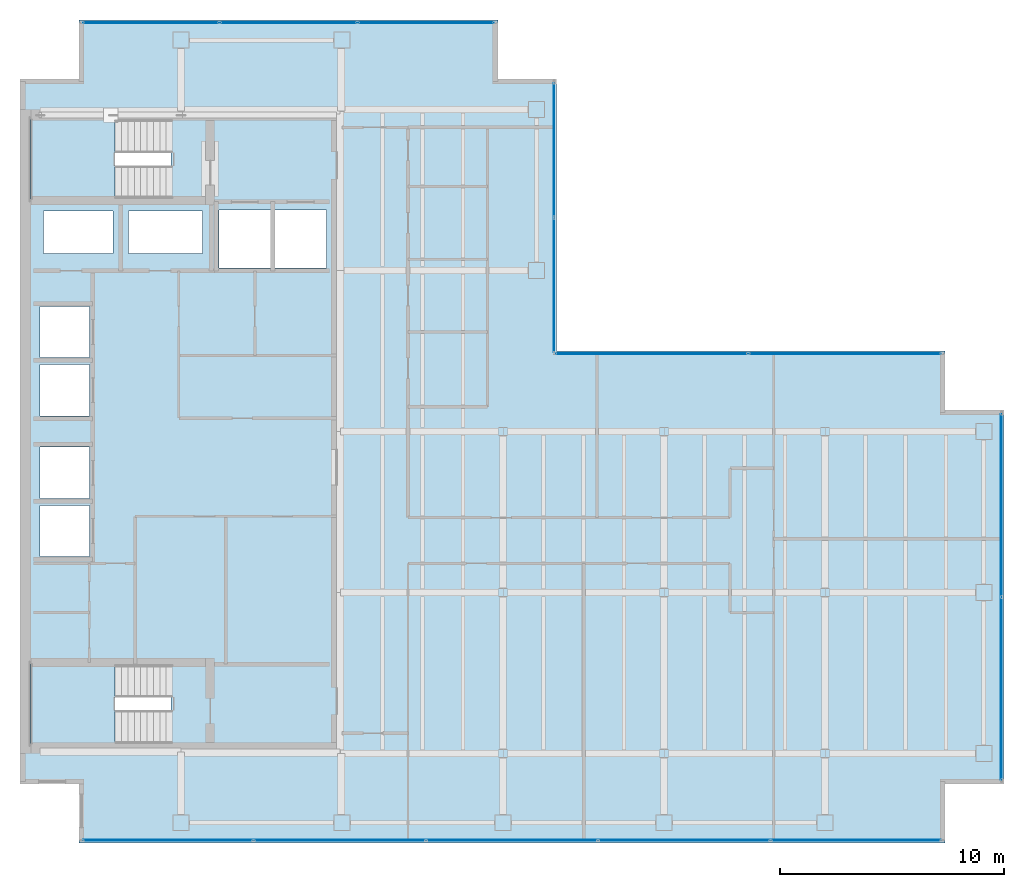
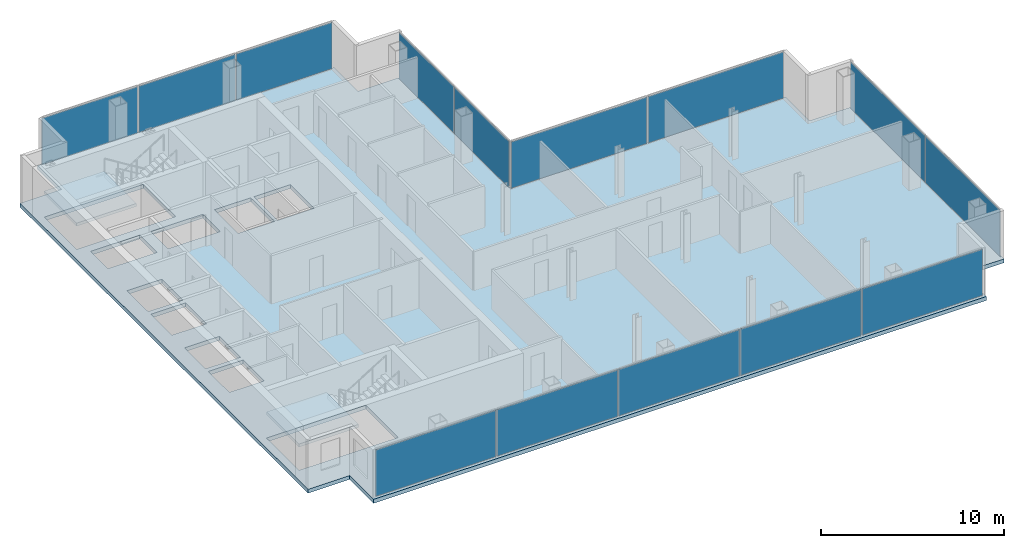
# One storey, part 19 of 23: 14 plates, 3 slabs, 10 openings, 7 elements without a shape of their own.
"""IFC4 building model written with IfcOpenShell, lengths in metres."""

from ifc_helpers import new_model, si_unit, direction, frame, origin, origin_2d, place, context, subcontext, project, spatial, polyline, rectangle, outline, extrude, material, layer, layer_set, type_object, element, aggregate, save


model = new_model("IFC4")

# Units and contexts
model_context = context("Model", 3, precision=1e-05, world=origin(), true_north=direction((0.0, 1.0)))
body_context = subcontext(model_context, "Body", "Model", "MODEL_VIEW")
ifc_project = project(units=[si_unit("LENGTHUNIT", "METRE"), si_unit("AREAUNIT", "SQUARE_METRE"), si_unit("VOLUMEUNIT", "CUBIC_METRE"), si_unit("PLANEANGLEUNIT", "RADIAN"), si_unit("MASSUNIT", "GRAM", prefix="KILO")], contexts=[model_context])

# Site, building, storey
site_placement = place(None, origin())
site = spatial("IfcSite", under=ifc_project, at=site_placement, CompositionType="ELEMENT")
building_placement = place(site_placement, origin())
building = spatial("IfcBuilding", under=site, at=building_placement, Name="Cobrela Telecom Tower", CompositionType="ELEMENT")
storey_placement = place(building_placement, frame((0.0, 0.0, 211.75)))
storey = spatial("IfcBuildingStorey", under=building, at=storey_placement, Name="L54", CompositionType="ELEMENT", Elevation=211.75)

# Curtain wall, plates
ifc_material_1 = material(Name="Anodized Bronze Aluminium 6063-T6", Category="aluminium")
curtain_wall_type = type_object("IfcCurtainWallType", Name="CW-SYS-OFF-LO", PredefinedType="USERDEFINED", material=ifc_material_1)
curtain_wall_1_placement = place(storey_placement, origin())
curtain_wall_1 = element("IfcCurtainWall", 1, at=curtain_wall_1_placement, inside=storey, type_object=curtain_wall_type, Name="L54 Unitised Bronze Curtain Wall 07", ObjectType="UNITISED CURTAIN WALL", PredefinedType="USERDEFINED")
ifc_material_2 = material(Name="Solar-Control Bronze Low-E Glass", Category="glass")
ifc_layer_1 = layer(ifc_material_2, 0.031982421875)
ifc_layer_set_1 = layer_set([ifc_layer_1], Name="Solar-Control Bronze Low-E Glass")
plate_type = type_object("IfcPlateType", Name="CW-SYS-OFF-LO-PNL", PredefinedType="CURTAIN_PANEL", material=ifc_layer_set_1)
plate_1_placement = place(storey_placement, frame((5.850830078125, 39.8798828125, 0.070068359375), z_axis=(0.0, 0.0, 1.0), x_axis=(1.0, 0.0, 0.0)))
plate_1 = element("IfcPlate", 2, at=plate_1_placement, type_object=plate_type, Name="CW-OFF-LO panel 1.1", PredefinedType="CURTAIN_PANEL", context=body_context, shape_type="SweptSolid", body=[
    extrude(rectangle(XDim=6.061767578125, YDim=0.031982421875, at=origin_2d()), origin(), (0.0, 0.0, 1.0), 3.10009765625),
])
plate_2_placement = place(storey_placement, frame((12.0, 39.8798828125, 0.070068359375), z_axis=(0.0, 0.0, 1.0), x_axis=(1.0, 0.0, 0.0)))
plate_2 = element("IfcPlate", 3, at=plate_2_placement, type_object=plate_type, Name="CW-OFF-LO panel 2.1", PredefinedType="CURTAIN_PANEL", context=body_context, shape_type="SweptSolid", body=[
    extrude(rectangle(XDim=6.0966796875, YDim=0.031982421875, at=origin_2d()), origin(), (0.0, 0.0, 1.0), 3.10009765625),
])
plate_3_placement = place(storey_placement, frame((18.149169921875, 39.8798828125, 0.070068359375), z_axis=(0.0, 0.0, 1.0), x_axis=(1.0, 0.0, 0.0)))
plate_3 = element("IfcPlate", 4, at=plate_3_placement, type_object=plate_type, Name="CW-OFF-LO panel 3.1", PredefinedType="CURTAIN_PANEL", context=body_context, shape_type="SweptSolid", body=[
    extrude(rectangle(XDim=6.061767578125, YDim=0.031982421875, at=origin_2d()), origin(), (0.0, 0.0, 1.0), 3.10009765625),
])
aggregate(curtain_wall_1, [plate_1, plate_2, plate_3])

curtain_wall_2_placement = place(storey_placement, origin())
curtain_wall_2 = element("IfcCurtainWall", 5, at=curtain_wall_2_placement, inside=storey, type_object=curtain_wall_type, Name="L54 Unitised Bronze Curtain Wall 10", ObjectType="UNITISED CURTAIN WALL", PredefinedType="USERDEFINED")
plate_4_placement = place(storey_placement, frame((23.8798828125, 34.18994140625, 0.070068359375), z_axis=(0.0, 0.0, 1.0), x_axis=(0.0, -1.0, 0.0)))
plate_4 = element("IfcPlate", 6, at=plate_4_placement, type_object=plate_type, Name="CW-OFF-LO panel 1.1", PredefinedType="CURTAIN_PANEL", context=body_context, shape_type="SweptSolid", body=[
    extrude(rectangle(XDim=5.97998046875, YDim=0.031982421875, at=origin_2d()), origin(), (0.0, 0.0, 1.0), 3.10009765625),
])
plate_5_placement = place(storey_placement, frame((23.8798828125, 28.139892578125, 0.070068359375), z_axis=(0.0, 0.0, 1.0), x_axis=(0.0, -1.0, 0.0)))
plate_5 = element("IfcPlate", 7, at=plate_5_placement, type_object=plate_type, Name="CW-OFF-LO panel 2.1", PredefinedType="CURTAIN_PANEL", context=body_context, shape_type="SweptSolid", body=[
    extrude(rectangle(XDim=5.97998046875, YDim=0.031982421875, at=origin_2d()), origin(), (0.0, 0.0, 1.0), 3.10009765625),
])
aggregate(curtain_wall_2, [plate_4, plate_5])

curtain_wall_3_placement = place(storey_placement, origin())
curtain_wall_3 = element("IfcCurtainWall", 8, at=curtain_wall_3_placement, inside=storey, type_object=curtain_wall_type, Name="L54 Unitised Bronze Curtain Wall 11", ObjectType="UNITISED CURTAIN WALL", PredefinedType="USERDEFINED")
plate_6_placement = place(storey_placement, frame((28.239990234375, 25.080078125, 0.070068359375), z_axis=(0.0, 0.0, 1.0), x_axis=(1.0, 0.0, 0.0)))
plate_6 = element("IfcPlate", 9, at=plate_6_placement, type_object=plate_type, Name="CW-OFF-LO panel 1.1", PredefinedType="CURTAIN_PANEL", context=body_context, shape_type="SweptSolid", body=[
    extrude(rectangle(XDim=8.580078125, YDim=0.031982421875, at=origin_2d()), origin(), (0.0, 0.0, 1.0), 3.10009765625),
])
plate_7_placement = place(storey_placement, frame((36.889892578125, 25.080078125, 0.070068359375), z_axis=(0.0, 0.0, 1.0), x_axis=(1.0, 0.0, 0.0)))
plate_7 = element("IfcPlate", 10, at=plate_7_placement, type_object=plate_type, Name="CW-OFF-LO panel 2.1", PredefinedType="CURTAIN_PANEL", context=body_context, shape_type="SweptSolid", body=[
    extrude(rectangle(XDim=8.580078125, YDim=0.031982421875, at=origin_2d()), origin(), (0.0, 0.0, 1.0), 3.10009765625),
])
aggregate(curtain_wall_3, [plate_6, plate_7])

curtain_wall_4_placement = place(storey_placement, origin())
curtain_wall_4 = element("IfcCurtainWall", 11, at=curtain_wall_4_placement, inside=storey, type_object=curtain_wall_type, Name="L54 Unitised Bronze Curtain Wall 14", ObjectType="UNITISED CURTAIN WALL", PredefinedType="USERDEFINED")
plate_8_placement = place(storey_placement, frame((43.8798828125, 18.3076171875, 0.070068359375), z_axis=(0.0, 0.0, 1.0), x_axis=(0.0, -1.0, 0.0)))
plate_8 = element("IfcPlate", 12, at=plate_8_placement, type_object=plate_type, Name="CW-OFF-LO panel 1.1", PredefinedType="CURTAIN_PANEL", context=body_context, shape_type="SweptSolid", body=[
    extrude(rectangle(XDim=8.14501953125, YDim=0.031982421875, at=origin_2d()), origin(), (0.0, 0.0, 1.0), 3.10009765625),
])
plate_9_placement = place(storey_placement, frame((43.8798828125, 10.092529296875, 0.070068359375), z_axis=(0.0, 0.0, 1.0), x_axis=(0.0, -1.0, 0.0)))
plate_9 = element("IfcPlate", 13, at=plate_9_placement, type_object=plate_type, Name="CW-OFF-LO panel 2.1", PredefinedType="CURTAIN_PANEL", context=body_context, shape_type="SweptSolid", body=[
    extrude(rectangle(XDim=8.14501953125, YDim=0.031982421875, at=origin_2d()), origin(), (0.0, 0.0, 1.0), 3.10009765625),
])
aggregate(curtain_wall_4, [plate_8, plate_9])

curtain_wall_5_placement = place(storey_placement, origin())
curtain_wall_5 = element("IfcCurtainWall", 14, at=curtain_wall_5_placement, inside=storey, type_object=curtain_wall_type, Name="L54 Unitised Bronze Curtain Wall 17", ObjectType="UNITISED CURTAIN WALL", PredefinedType="USERDEFINED")
plate_10_placement = place(storey_placement, frame((37.382568359375, 3.320068359375, 0.070068359375), z_axis=(0.0, 0.0, 1.0), x_axis=(-1.0, 0.0, 0.0)))
plate_10 = element("IfcPlate", 15, at=plate_10_placement, type_object=plate_type, Name="CW-OFF-LO panel 1.1", PredefinedType="CURTAIN_PANEL", context=body_context, shape_type="SweptSolid", body=[
    extrude(rectangle(XDim=7.594970703125, YDim=0.031982421875, at=origin_2d()), origin(), (0.0, 0.0, 1.0), 3.10009765625),
])
plate_11_placement = place(storey_placement, frame((29.699951171875, 3.320068359375, 0.070068359375), z_axis=(0.0, 0.0, 1.0), x_axis=(-1.0, 0.0, 0.0)))
plate_11 = element("IfcPlate", 16, at=plate_11_placement, type_object=plate_type, Name="CW-OFF-LO panel 2.1", PredefinedType="CURTAIN_PANEL", context=body_context, shape_type="SweptSolid", body=[
    extrude(rectangle(XDim=7.6298828125, YDim=0.031982421875, at=origin_2d()), origin(), (0.0, 0.0, 1.0), 3.10009765625),
])
plate_12_placement = place(storey_placement, frame((22.0, 3.320068359375, 0.070068359375), z_axis=(0.0, 0.0, 1.0), x_axis=(-1.0, 0.0, 0.0)))
plate_12 = element("IfcPlate", 17, at=plate_12_placement, type_object=plate_type, Name="CW-OFF-LO panel 3.1", PredefinedType="CURTAIN_PANEL", context=body_context, shape_type="SweptSolid", body=[
    extrude(rectangle(XDim=7.6298828125, YDim=0.031982421875, at=origin_2d()), origin(), (0.0, 0.0, 1.0), 3.10009765625),
])
plate_13_placement = place(storey_placement, frame((14.300048828125, 3.320068359375, 0.070068359375), z_axis=(0.0, 0.0, 1.0), x_axis=(-1.0, 0.0, 0.0)))
plate_13 = element("IfcPlate", 18, at=plate_13_placement, type_object=plate_type, Name="CW-OFF-LO panel 4.1", PredefinedType="CURTAIN_PANEL", context=body_context, shape_type="SweptSolid", body=[
    extrude(rectangle(XDim=7.6298828125, YDim=0.031982421875, at=origin_2d()), origin(), (0.0, 0.0, 1.0), 3.10009765625),
])
plate_14_placement = place(storey_placement, frame((6.617431640625, 3.320068359375, 0.070068359375), z_axis=(0.0, 0.0, 1.0), x_axis=(-1.0, 0.0, 0.0)))
plate_14 = element("IfcPlate", 19, at=plate_14_placement, type_object=plate_type, Name="CW-OFF-LO panel 5.1", PredefinedType="CURTAIN_PANEL", context=body_context, shape_type="SweptSolid", body=[
    extrude(rectangle(XDim=7.594970703125, YDim=0.031982421875, at=origin_2d()), origin(), (0.0, 0.0, 1.0), 3.10009765625),
])
aggregate(curtain_wall_5, [plate_10, plate_11, plate_12, plate_13, plate_14])

# Slab, openings
ifc_material_3 = material(Name="Concrete C40/50", Category="concrete")
ifc_layer_2 = layer(ifc_material_3, 0.260009765625)
ifc_layer_set_2 = layer_set([ifc_layer_2], Name="Concrete C40/50")
slab_type_1 = type_object("IfcSlabType", Name="SLAB-FLR-260", PredefinedType="FLOOR", material=ifc_layer_set_2)
slab_1_placement = place(storey_placement, frame((0.0, 0.0, -0.260009765625)))
slab_1 = element("IfcSlab", 20, at=slab_1_placement, inside=storey, type_object=slab_type_1, Name="L54 Structural Floor Slab", PredefinedType="FLOOR", context=body_context, shape_type="SweptSolid", body=[
    extrude(outline(polyline([(2.6298828125, 3.199951171875), (41.3701171875, 3.199951171875), (41.3701171875, 5.830078125), (44.0, 5.830078125), (44.0, 22.570068359375), (41.3701171875, 22.570068359375), (41.3701171875, 25.199951171875), (24.0, 25.199951171875), (24.0, 37.3701171875), (21.3701171875, 37.3701171875), (21.3701171875, 40.0), (2.6298828125, 40.0), (2.6298828125, 37.3701171875), (0.0, 37.3701171875), (0.0, 5.830078125), (2.6298828125, 5.830078125), (2.6298828125, 3.199951171875)])), origin(), (0.0, 0.0, 1.0), 0.260009765625),
])
opening_1_placement = place(slab_1_placement, frame((0.0, 0.0, -0.02001953125)))
element("IfcOpeningElement", 21, at=opening_1_placement, cuts=slab_1, Name="Slab Shaft Opening SLAB-L54-MAIN.1", PredefinedType="OPENING", context=body_context, shape_type="SweptSolid", body=[
    extrude(outline(polyline([(8.89990234375, 28.89990234375), (11.199951171875, 28.89990234375), (11.199951171875, 31.5), (8.89990234375, 31.5), (8.89990234375, 28.89990234375)])), origin(), (0.0, 0.0, 1.0), 0.300048828125),
])
opening_2_placement = place(slab_1_placement, frame((0.0, 0.0, -0.02001953125)))
element("IfcOpeningElement", 22, at=opening_2_placement, cuts=slab_1, Name="Slab Shaft Opening SLAB-L54-MAIN.2", PredefinedType="OPENING", context=body_context, shape_type="SweptSolid", body=[
    extrude(outline(polyline([(11.39990234375, 28.89990234375), (13.699951171875, 28.89990234375), (13.699951171875, 31.5), (11.39990234375, 31.5), (11.39990234375, 28.89990234375)])), origin(), (0.0, 0.0, 1.0), 0.300048828125),
])
opening_3_placement = place(slab_1_placement, frame((0.0, 0.0, -0.02001953125)))
element("IfcOpeningElement", 23, at=opening_3_placement, cuts=slab_1, Name="Slab Shaft Opening SLAB-L54-MAIN.3", PredefinedType="OPENING", context=body_context, shape_type="SweptSolid", body=[
    extrude(outline(polyline([(0.89990234375, 16.0), (3.10009765625, 16.0), (3.10009765625, 18.300048828125), (0.89990234375, 18.300048828125), (0.89990234375, 16.0)])), origin(), (0.0, 0.0, 1.0), 0.300048828125),
])
opening_4_placement = place(slab_1_placement, frame((0.0, 0.0, -0.02001953125)))
element("IfcOpeningElement", 24, at=opening_4_placement, cuts=slab_1, Name="Slab Shaft Opening SLAB-L54-MAIN.4", PredefinedType="OPENING", context=body_context, shape_type="SweptSolid", body=[
    extrude(outline(polyline([(0.89990234375, 18.60009765625), (3.10009765625, 18.60009765625), (3.10009765625, 20.89990234375), (0.89990234375, 20.89990234375), (0.89990234375, 18.60009765625)])), origin(), (0.0, 0.0, 1.0), 0.300048828125),
])
opening_5_placement = place(slab_1_placement, frame((0.0, 0.0, -0.02001953125)))
element("IfcOpeningElement", 25, at=opening_5_placement, cuts=slab_1, Name="Slab Shaft Opening SLAB-L54-MAIN.5", PredefinedType="OPENING", context=body_context, shape_type="SweptSolid", body=[
    extrude(outline(polyline([(0.89990234375, 22.300048828125), (3.10009765625, 22.300048828125), (3.10009765625, 24.60009765625), (0.89990234375, 24.60009765625), (0.89990234375, 22.300048828125)])), origin(), (0.0, 0.0, 1.0), 0.300048828125),
])
opening_6_placement = place(slab_1_placement, frame((0.0, 0.0, -0.02001953125)))
element("IfcOpeningElement", 26, at=opening_6_placement, cuts=slab_1, Name="Slab Shaft Opening SLAB-L54-MAIN.6", PredefinedType="OPENING", context=body_context, shape_type="SweptSolid", body=[
    extrude(outline(polyline([(0.89990234375, 24.89990234375), (3.10009765625, 24.89990234375), (3.10009765625, 27.199951171875), (0.89990234375, 27.199951171875), (0.89990234375, 24.89990234375)])), origin(), (0.0, 0.0, 1.0), 0.300048828125),
])
opening_7_placement = place(slab_1_placement, frame((0.0, 0.0, -0.02001953125)))
element("IfcOpeningElement", 27, at=opening_7_placement, cuts=slab_1, Name="Slab Shaft Opening SLAB-L54-MAIN.7", PredefinedType="OPENING", context=body_context, shape_type="SweptSolid", body=[
    extrude(outline(polyline([(1.050048828125, 29.550048828125), (4.14990234375, 29.550048828125), (4.14990234375, 31.449951171875), (1.050048828125, 31.449951171875), (1.050048828125, 29.550048828125)])), origin(), (0.0, 0.0, 1.0), 0.300048828125),
])
opening_8_placement = place(slab_1_placement, frame((0.0, 0.0, -0.02001953125)))
element("IfcOpeningElement", 28, at=opening_8_placement, cuts=slab_1, Name="Slab Shaft Opening SLAB-L54-MAIN.8", PredefinedType="OPENING", context=body_context, shape_type="SweptSolid", body=[
    extrude(outline(polyline([(4.85009765625, 29.550048828125), (8.14990234375, 29.550048828125), (8.14990234375, 31.449951171875), (4.85009765625, 31.449951171875), (4.85009765625, 29.550048828125)])), origin(), (0.0, 0.0, 1.0), 0.300048828125),
])
opening_9_placement = place(slab_1_placement, frame((0.0, 0.0, -0.02001953125)))
element("IfcOpeningElement", 29, at=opening_9_placement, cuts=slab_1, Name="Slab Shaft Opening SLAB-L54-MAIN.9", PredefinedType="OPENING", context=body_context, shape_type="SweptSolid", body=[
    extrude(outline(polyline([(6.7548828125, 35.550048828125), (0.47998046875, 35.550048828125), (0.47998046875, 32.0), (6.7548828125, 32.0), (6.7548828125, 35.550048828125)])), origin(), (0.0, 0.0, 1.0), 0.300048828125),
])
opening_10_placement = place(slab_1_placement, frame((0.0, 0.0, -0.02001953125)))
element("IfcOpeningElement", 30, at=opening_10_placement, cuts=slab_1, Name="Slab Shaft Opening SLAB-L54-MAIN.10", PredefinedType="OPENING", context=body_context, shape_type="SweptSolid", body=[
    extrude(outline(polyline([(6.7548828125, 11.199951171875), (0.47998046875, 11.199951171875), (0.47998046875, 7.64990234375), (6.7548828125, 7.64990234375), (6.7548828125, 11.199951171875)])), origin(), (0.0, 0.0, 1.0), 0.300048828125),
])

# Stair, slab
stair_type = type_object("IfcStairType", Name="STAIR-CORE", PredefinedType="HALF_TURN_STAIR", material=ifc_material_3)
stair_1_placement = place(storey_placement, origin())
stair_1 = element("IfcStair", 31, at=stair_1_placement, inside=storey, type_object=stair_type, Name="L54 Smokeproof Exit Stair ST1", PredefinedType="HALF_TURN_STAIR")
ifc_layer_3 = layer(ifc_material_3, 0.199951171875)
ifc_layer_set_3 = layer_set([ifc_layer_3], Name="Concrete C40/50")
slab_type_2 = type_object("IfcSlabType", Name="SLAB-LAND-200", PredefinedType="LANDING", material=ifc_layer_set_3)
slab_2_placement = place(storey_placement, frame((0.0, 0.0, 1.550048828125)))
slab_2 = element("IfcSlab", 32, at=slab_2_placement, type_object=slab_type_2, Name="ST1 landing 1", PredefinedType="LANDING", context=body_context, shape_type="SweptSolid", body=[
    extrude(outline(polyline([(4.2548828125, 35.550048828125), (0.47998046875, 35.550048828125), (0.47998046875, 32.0), (4.2548828125, 32.0), (4.2548828125, 35.550048828125)])), origin(), (0.0, 0.0, 1.0), 0.199951171875),
])
aggregate(stair_1, [slab_2])

stair_2_placement = place(storey_placement, origin())
stair_2 = element("IfcStair", 33, at=stair_2_placement, inside=storey, type_object=stair_type, Name="L54 Smokeproof Exit Stair ST2", PredefinedType="HALF_TURN_STAIR")
slab_3_placement = place(storey_placement, frame((0.0, 0.0, 1.550048828125)))
slab_3 = element("IfcSlab", 34, at=slab_3_placement, type_object=slab_type_2, Name="ST2 landing 1", PredefinedType="LANDING", context=body_context, shape_type="SweptSolid", body=[
    extrude(outline(polyline([(4.2548828125, 11.199951171875), (0.47998046875, 11.199951171875), (0.47998046875, 7.64990234375), (4.2548828125, 7.64990234375), (4.2548828125, 11.199951171875)])), origin(), (0.0, 0.0, 1.0), 0.199951171875),
])
aggregate(stair_2, [slab_3])

save(model, "model.ifc")
